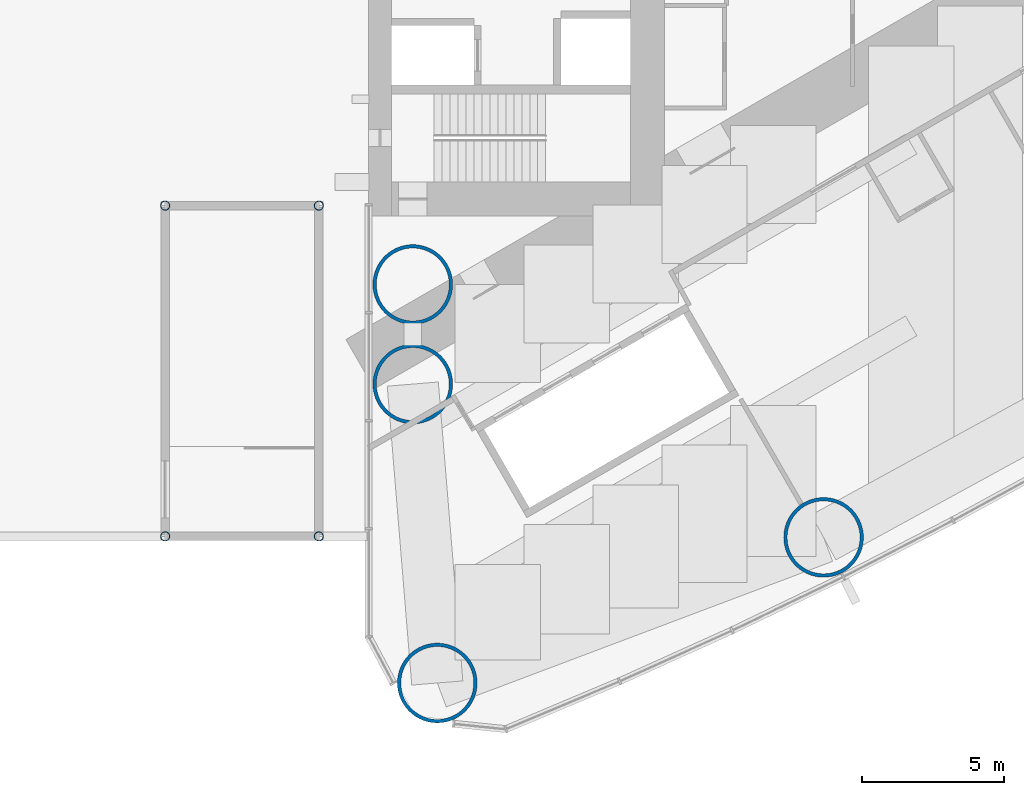
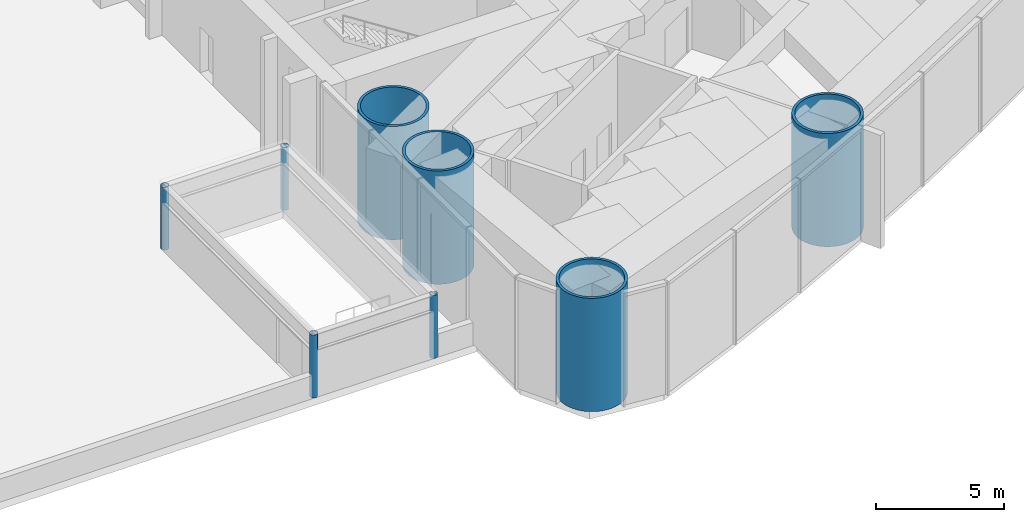
# One storey, part 4 of 23: 8 columns.
"""IFC4 building model written with IfcOpenShell, lengths in metres."""

from ifc_helpers import new_model, si_unit, direction, frame, origin, origin_2d, place, context, subcontext, project, spatial, hollow_circle, extrude, material, material_profile, profile_set, type_object, element, save


model = new_model("IFC4")

# Units and contexts
model_context = context("Model", 3, precision=1e-05, world=origin(), true_north=direction((0.0, 1.0)))
body_context = subcontext(model_context, "Body", "Model", "MODEL_VIEW")
ifc_project = project(units=[si_unit("LENGTHUNIT", "METRE"), si_unit("AREAUNIT", "SQUARE_METRE"), si_unit("VOLUMEUNIT", "CUBIC_METRE"), si_unit("PLANEANGLEUNIT", "RADIAN"), si_unit("MASSUNIT", "GRAM", prefix="KILO")], contexts=[model_context])

# Site, building, storey
site_placement = place(None, origin())
site = spatial("IfcSite", under=ifc_project, at=site_placement, CompositionType="ELEMENT")
building_placement = place(site_placement, origin())
building = spatial("IfcBuilding", under=site, at=building_placement, Name="Lancet Gate Hotel", CompositionType="ELEMENT")
storey_placement = place(building_placement, frame((0.0, 0.0, 12.60009765625)))
storey = spatial("IfcBuildingStorey", under=building, at=storey_placement, Name="L02", CompositionType="ELEMENT", Elevation=12.60009765625)

# Columns
ifc_material_1 = material(Name="Composite filled tube, grade 460 plate, grade 80/95 fill", Category="composite")
ifc_material_profile_1 = material_profile(ifc_material_1, hollow_circle(Radius=1.39990234375, WallThickness=0.1201171875, at=origin_2d()), Name="CHS 2800x120")
ifc_profile_set_1 = profile_set([ifc_material_profile_1], Name="Composite filled tube, grade 460 plate, grade 80/95 fill")
column_type_1 = type_object("IfcColumnType", Name="Perimeter column CFT CHS 2800x120", PredefinedType="COLUMN", material=ifc_profile_set_1)
for number, where, z_axis, x_axis, name in (
    (1, (29.9111328125, -25.00244140625, 0.0), (0.0, 0.0, 1.0), (1.0, 0.0, 0.0), "T2 column CS L02"),
    (2, (29.050048828125, -11.0, 0.0), (0.0, 0.0, 1.0), (1.0, 0.0, 0.0), "T2 column IS L02"),
    (3, (29.050048828125, -14.5, 0.0), (0.0, 0.0, 1.0), (1.0, 0.0, 0.0), "T2 column IT L02"),
    (4, (43.484130859375, -19.886474609375, 0.0), (0.0, 0.0, 1.0), (1.0, 0.0, 0.0), "T2 column OS1 L02"),
):
    element("IfcColumn", number, at=place(storey_placement, frame(where, z_axis=z_axis, x_axis=x_axis)), inside=storey, type_object=column_type_1, Name=name, PredefinedType="COLUMN", context=body_context, shape_type="SweptSolid", body=[
        extrude(hollow_circle(Radius=1.39990234375, WallThickness=0.1201171875, at=origin_2d()), origin(), (0.0, 0.0, 1.0), 5.39990234375),
    ])
ifc_material_2 = material(Name="Steel S355", Category="steel")
ifc_material_profile_2 = material_profile(ifc_material_2, hollow_circle(Radius=0.161865234375, WallThickness=0.012451171875, at=origin_2d()), Name="CHS 323.9x12.5")
ifc_profile_set_2 = profile_set([ifc_material_profile_2], Name="Steel S355")
column_type_2 = type_object("IfcColumnType", Name="Podium head-house column CHS 323.9x12.5", PredefinedType="COLUMN", material=ifc_profile_set_2)
for number, where, z_axis, x_axis, name in (
    (5, (20.35009765625, -8.22998046875, 0.0), (0.0, 0.0, 1.0), (1.0, 0.0, 0.0), "Podium stair PS5 head-house column IN-W"),
    (6, (25.75, -8.22998046875, 0.0), (0.0, 0.0, 1.0), (1.0, 0.0, 0.0), "Podium stair PS5 head-house column IN-E"),
    (7, (20.35009765625, -19.85009765625, 0.0), (0.0, 0.0, 1.0), (1.0, 0.0, 0.0), "Podium stair PS5 head-house column OUT-W"),
    (8, (25.75, -19.85009765625, 0.0), (0.0, 0.0, 1.0), (1.0, 0.0, 0.0), "Podium stair PS5 head-house column OUT-E"),
):
    element("IfcColumn", number, at=place(storey_placement, frame(where, z_axis=z_axis, x_axis=x_axis)), inside=storey, type_object=column_type_2, Name=name, PredefinedType="COLUMN", context=body_context, shape_type="SweptSolid", body=[
        extrude(hollow_circle(Radius=0.161865234375, WallThickness=0.012451171875, at=origin_2d()), origin(), (0.0, 0.0, 1.0), 3.0),
    ])

save(model, "model.ifc")
